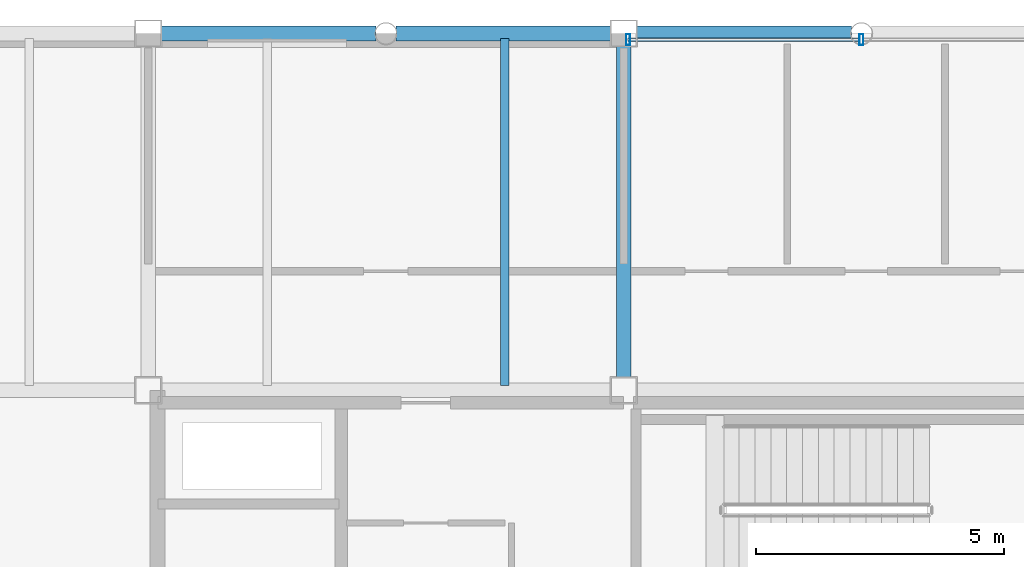
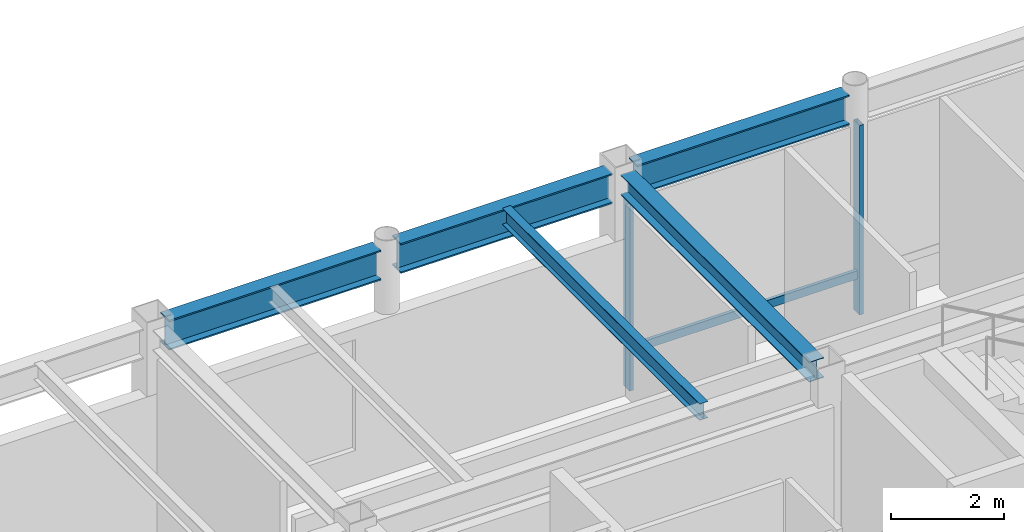
# One storey, part 13 of 21: 5 beams, 3 members, 1 element without a shape of its own.
"""IFC4 building model written with IfcOpenShell, lengths in metres."""

from ifc_helpers import new_model, si_unit, direction, frame, origin, origin_2d, place, context, subcontext, project, spatial, hollow_rectangle, i_section, extrude, material, layer, layer_set, material_profile, profile_set, type_object, element, aggregate, save


model = new_model("IFC4")

# Units and contexts
model_context = context("Model", 3, precision=1e-05, world=origin(), true_north=direction((0.0, 1.0)))
body_context = subcontext(model_context, "Body", "Model", "MODEL_VIEW")
ifc_project = project(units=[si_unit("LENGTHUNIT", "METRE"), si_unit("AREAUNIT", "SQUARE_METRE"), si_unit("VOLUMEUNIT", "CUBIC_METRE"), si_unit("PLANEANGLEUNIT", "RADIAN"), si_unit("MASSUNIT", "GRAM", prefix="KILO")], contexts=[model_context])

# Site, building, storey
site_placement = place(None, origin())
site = spatial("IfcSite", under=ifc_project, at=site_placement, CompositionType="ELEMENT")
building_placement = place(site_placement, origin())
building = spatial("IfcBuilding", under=site, at=building_placement, Name="Kallvorn Hotel Tower", CompositionType="ELEMENT")
storey_placement = place(building_placement, frame((0.0, 0.0, 290.60009765625)))
storey = spatial("IfcBuildingStorey", under=building, at=storey_placement, Name="L72", CompositionType="ELEMENT", Elevation=290.60009765625)

# Beams
ifc_material_1 = material(Name="Structural steel S355JR", Category="steel")
ifc_material_profile_1 = material_profile(ifc_material_1, i_section(OverallWidth=0.300048828125, OverallDepth=0.43994140625, WebThickness=0.011474609375, FlangeThickness=0.02099609375, at=origin_2d()), Name="HE 450 A")
ifc_profile_set_1 = profile_set([ifc_material_profile_1], Name="Structural steel S355JR")
beam_type_1 = type_object("IfcBeamType", Name="BM_HE450A", PredefinedType="BEAM", material=ifc_profile_set_1)
beam_1_placement = place(storey_placement, frame((-4.800048828125, 7.449951171875, 4.579833984375), z_axis=(0.0, 1.0, 0.0), x_axis=(-1.0, 0.0, 0.0)))
element("IfcBeam", 1, at=beam_1_placement, inside=storey, type_object=beam_type_1, Name="L73 Primary Y-Girder 39", PredefinedType="BEAM", context=body_context, shape_type="SweptSolid", body=[
    extrude(i_section(OverallWidth=0.300048828125, OverallDepth=0.43994140625, WebThickness=0.011474609375, FlangeThickness=0.02099609375, at=origin_2d()), origin(), (0.0, 0.0, 1.0), 6.699951171875),
])
ifc_material_2 = material(Name="Structural steel S355JR", Category="steel")
ifc_material_profile_2 = material_profile(ifc_material_2, i_section(OverallWidth=0.300048828125, OverallDepth=0.64990234375, WebThickness=0.01611328125, FlangeThickness=0.031005859375, at=origin_2d()), Name="HE 650 B")
ifc_profile_set_2 = profile_set([ifc_material_profile_2], Name="Structural steel S355JR")
beam_type_2 = type_object("IfcBeamType", Name="BM_HE650B", PredefinedType="BEAM", material=ifc_profile_set_2)
for number, where, z_axis, x_axis, name in (
    (2, (-14.14990234375, 14.39990234375, 4.474853515625), (1.0, 0.0, 0.0), (0.0, 1.0, 0.0), "L73 Primary X-Girder 18"),
    (3, (-9.396484375, 14.39990234375, 4.474853515625), (1.0, 0.0, 0.0), (0.0, 1.0, 0.0), "L73 Primary X-Girder 19"),
    (4, (-4.550048828125, 14.39990234375, 4.474853515625), (1.0, 0.0, 0.0), (0.0, 1.0, 0.0), "L73 Primary X-Girder 20"),
):
    element("IfcBeam", number, at=place(storey_placement, frame(where, z_axis=z_axis, x_axis=x_axis)), inside=storey, type_object=beam_type_2, Name=name, PredefinedType="BEAM", context=body_context, shape_type="SweptSolid", body=[
        extrude(i_section(OverallWidth=0.300048828125, OverallDepth=0.64990234375, WebThickness=0.01611328125, FlangeThickness=0.031005859375, at=origin_2d()), origin(), (0.0, 0.0, 1.0), 4.346435546875),
    ])
ifc_material_3 = material(Name="Structural steel S355JR", Category="steel")
ifc_material_profile_3 = material_profile(ifc_material_3, i_section(OverallWidth=0.169921875, OverallDepth=0.360107421875, WebThickness=0.008056640625, FlangeThickness=0.0126953125, at=origin_2d()), Name="IPE 360")
ifc_profile_set_3 = profile_set([ifc_material_profile_3], Name="Structural steel S355JR")
beam_type_3 = type_object("IfcBeamType", Name="BM_IPE360", PredefinedType="JOIST", material=ifc_profile_set_3)
beam_2_placement = place(storey_placement, frame((-7.199951171875, 7.300048828125, 4.619873046875), z_axis=(0.0, 1.0, 0.0), x_axis=(-1.0, 0.0, 0.0)))
element("IfcBeam", 5, at=beam_2_placement, inside=storey, type_object=beam_type_3, Name="L73 Secondary Composite Joist 97", PredefinedType="JOIST", context=body_context, shape_type="SweptSolid", body=[
    extrude(i_section(OverallWidth=0.169921875, OverallDepth=0.360107421875, WebThickness=0.008056640625, FlangeThickness=0.0126953125, at=origin_2d()), origin(), (0.0, 0.0, 1.0), 7.0),
])

# Curtain wall, members
ifc_material_4 = material(Name="Thermally broken black-anodised aluminium AA 6063-T6", Category="aluminium")
ifc_layer = layer(ifc_material_4, 0.25)
ifc_layer_set = layer_set([ifc_layer], Name="CW_SYS_6_SUMMIT_OBS")
curtain_wall_type = type_object("IfcCurtainWallType", Name="CW_SYS_6_SUMMIT_OBS", PredefinedType="USERDEFINED", material=ifc_layer_set)
curtain_wall_placement = place(storey_placement, origin())
curtain_wall = element("IfcCurtainWall", 6, at=curtain_wall_placement, inside=storey, type_object=curtain_wall_type, Name="L72 Dark-Glass Curtain Wall CW-L72-NC", ObjectType="UNITISED CURTAIN WALL", PredefinedType="USERDEFINED")
ifc_material_5 = material(Name="Thermally broken black-anodised aluminium AA 6063-T6", Category="aluminium")
ifc_material_profile_4 = material_profile(ifc_material_5, hollow_rectangle(XDim=0.080078125, YDim=0.219970703125, WallThickness=0.0048828125, at=origin_2d()), Name="MUL 220x80")
ifc_profile_set_4 = profile_set([ifc_material_profile_4], Name="Thermally broken black-anodised aluminium AA 6063-T6")
member_type_1 = type_object("IfcMemberType", Name="CW_MULLION_220x80", PredefinedType="MULLION", material=ifc_profile_set_4)
member_1_placement = place(storey_placement, frame((-4.7099609375, 14.280029296875, 0.02001953125), z_axis=(0.0, 0.0, 1.0), x_axis=(1.0, 0.0, 0.0)))
member_1 = element("IfcMember", 7, at=member_1_placement, type_object=member_type_1, Name="CW-L72-NC Mullion 00", PredefinedType="MULLION", context=body_context, shape_type="SweptSolid", body=[
    extrude(hollow_rectangle(XDim=0.080078125, YDim=0.219970703125, WallThickness=0.0048828125, at=origin_2d()), origin(), (0.0, 0.0, 1.0), 4.10986328125),
])
member_2_placement = place(storey_placement, frame((0.0, 14.280029296875, 0.02001953125), z_axis=(0.0, 0.0, 1.0), x_axis=(1.0, 0.0, 0.0)))
member_2 = element("IfcMember", 8, at=member_2_placement, type_object=member_type_1, Name="CW-L72-NC Mullion 01", PredefinedType="MULLION", context=body_context, shape_type="SweptSolid", body=[
    extrude(hollow_rectangle(XDim=0.080078125, YDim=0.219970703125, WallThickness=0.0048828125, at=origin_2d()), origin(), (0.0, 0.0, 1.0), 4.10986328125),
])
ifc_material_6 = material(Name="Thermally broken black-anodised aluminium AA 6063-T6", Category="aluminium")
ifc_material_profile_5 = material_profile(ifc_material_6, hollow_rectangle(XDim=0.070068359375, YDim=0.179931640625, WallThickness=0.00390625, at=origin_2d()), Name="TRN 180x70")
ifc_profile_set_5 = profile_set([ifc_material_profile_5], Name="Thermally broken black-anodised aluminium AA 6063-T6")
member_type_2 = type_object("IfcMemberType", Name="CW_TRANSOM_180x70", PredefinedType="USERDEFINED", material=ifc_profile_set_5)
member_3_placement = place(storey_placement, frame((-4.7099609375, 14.280029296875, 0.849853515625), z_axis=(1.0, 0.0, 0.0), x_axis=(0.0, 1.0, 0.0)))
member_3 = element("IfcMember", 9, at=member_3_placement, type_object=member_type_2, Name="CW-L72-NC Transom 00M", ObjectType="TRANSOM", PredefinedType="USERDEFINED", context=body_context, shape_type="SweptSolid", body=[
    extrude(hollow_rectangle(XDim=0.070068359375, YDim=0.179931640625, WallThickness=0.00390625, at=origin_2d()), origin(), (0.0, 0.0, 1.0), 4.669921875),
])
aggregate(curtain_wall, [member_1, member_2, member_3])

save(model, "model.ifc")
